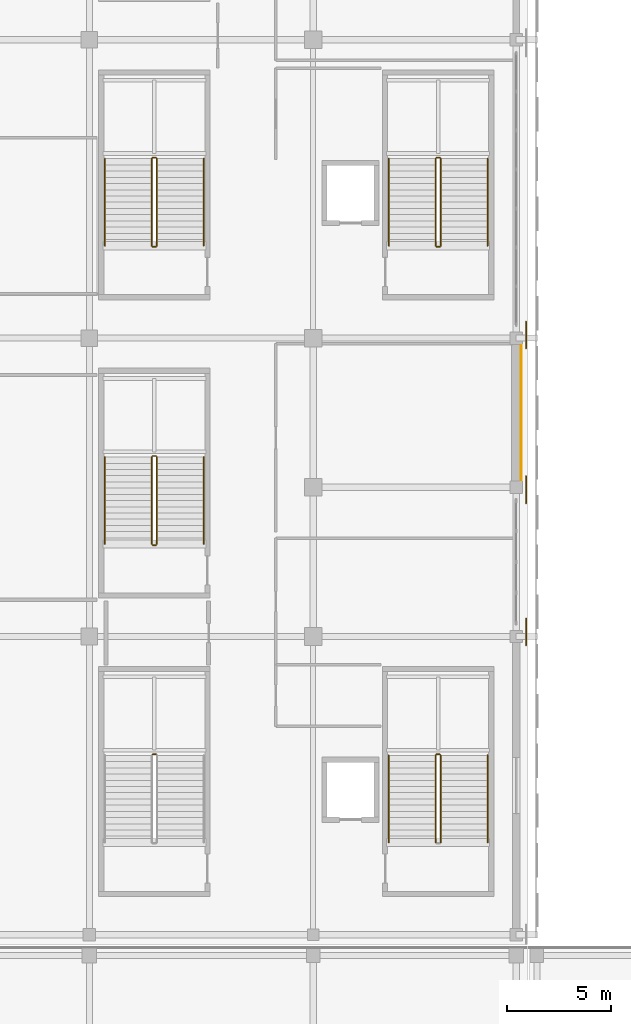
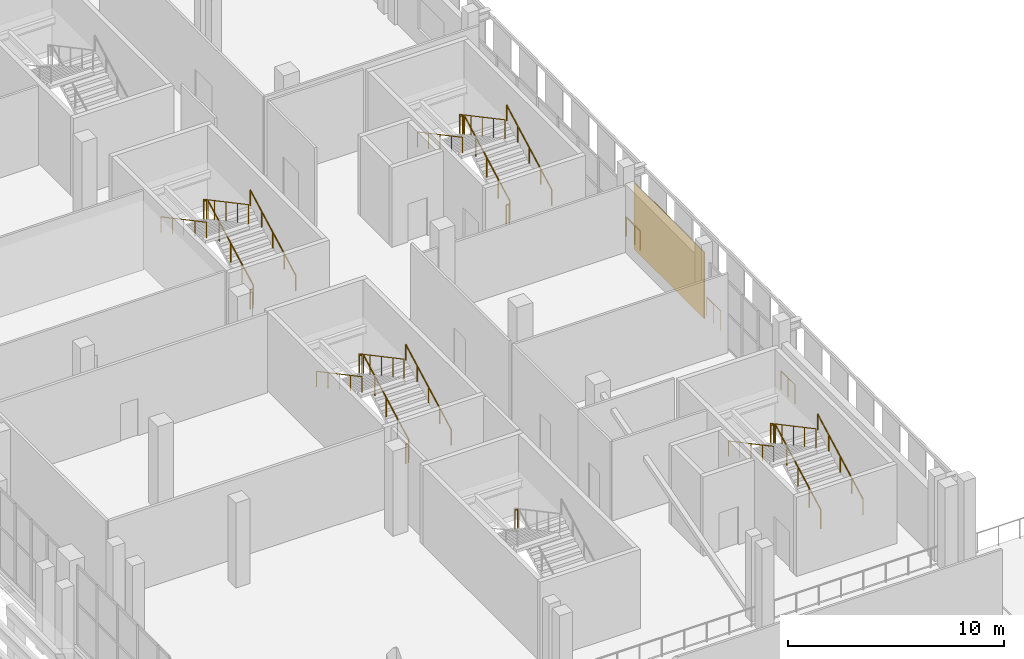
# One storey, part 132 of 142: 28 railings, 1 covering.
"""IFC4 building model written with IfcOpenShell, lengths in metres."""

from ifc_helpers import new_model, si_unit, direction, frame, origin, origin_2d, place, context, subcontext, project, spatial, rectangle, circle, extrude, material, layer, layer_set, type_object, element, save


model = new_model("IFC4")

# Units and contexts
model_context = context("Model", 3, precision=1e-05, world=origin(), true_north=direction((0.0, 1.0)))
body_context = subcontext(model_context, "Body", "Model", "MODEL_VIEW")
ifc_project = project(units=[si_unit("LENGTHUNIT", "METRE"), si_unit("AREAUNIT", "SQUARE_METRE"), si_unit("VOLUMEUNIT", "CUBIC_METRE"), si_unit("PLANEANGLEUNIT", "RADIAN"), si_unit("MASSUNIT", "GRAM", prefix="KILO")], contexts=[model_context])

# Site, building, storey
site_placement = place(None, origin())
site = spatial("IfcSite", under=ifc_project, at=site_placement, CompositionType="ELEMENT")
building_placement = place(site_placement, origin())
building = spatial("IfcBuilding", under=site, at=building_placement, Name="Koshinbarg Plaza Stadium", CompositionType="ELEMENT")
storey_placement = place(building_placement, frame((0.0, 0.0, 10.199951171875)))
storey = spatial("IfcBuildingStorey", under=building, at=storey_placement, Name="L02", CompositionType="ELEMENT", Elevation=10.199951171875)

# Covering
ifc_material_1 = material(Name="Terracotta-ochre pigmented mineral render facade cladding", Category="masonry")
ifc_layer = layer(ifc_material_1, 0.0400390625)
ifc_layer_set = layer_set([ifc_layer], Name="Terracotta-ochre pigmented mineral render facade cladding")
covering_type = type_object("IfcCoveringType", Name="COV-CLADDING-01", PredefinedType="CLADDING", material=ifc_layer_set)
covering_placement = place(storey_placement, frame((218.64501953125, 50.699951171875, 0.0498046875), z_axis=(0.0, 0.0, 1.0), x_axis=(0.0, -1.0, 0.0)))
element("IfcCovering", 1, at=covering_placement, inside=storey, type_object=covering_type, Name="L02 pigmented mineral facade cladding EWL-L02-0130", PredefinedType="CLADDING", context=body_context, shape_type="SweptSolid", body=[
    extrude(rectangle(XDim=6.510009765625, YDim=0.0400390625, at=origin_2d()), origin(), (0.0, 0.0, 1.0), 3.760009765625),
])

# Railings
ifc_material_2 = material(Name="Toughened laminated glass and stainless steel sightline balustrade", Category="steel")
railing_type_1 = type_object("IfcRailingType", Name="RL-BOWL-1100", PredefinedType="BALUSTRADE", material=ifc_material_2)
railing_1_placement = place(storey_placement, frame((218.875, 54.300048828125, 0.0)))
element("IfcRailing", 2, at=railing_1_placement, inside=storey, type_object=railing_type_1, Name="L02 deck edge safety balustrade 0132", PredefinedType="BALUSTRADE", context=body_context, shape_type="SweptSolid", body=[
    extrude(circle(Radius=0.02392578125, at=origin_2d()), frame((0.0, 0.0, 1.076171875), z_axis=(0.0, -1.0, 0.0), x_axis=(1.0, 0.0, 0.0)), (0.0, 0.0, 1.0), 0.49853515625),
    extrude(circle(Radius=0.02099609375, at=origin_2d()), origin(), (0.0, 0.0, 1.0), 1.052001953125),
    extrude(circle(Radius=0.02099609375, at=origin_2d()), frame((0.0, -0.49853515625, 0.0)), (0.0, 0.0, 1.0), 1.052001953125),
])
for number, where, name in (
    (3, (218.875, 47.634033203125, 0.0), "L02 deck edge safety balustrade 0133"),
    (4, (218.875, 40.76806640625, 0.0), "L02 deck edge safety balustrade 0134"),
):
    element("IfcRailing", number, at=place(storey_placement, frame(where)), inside=storey, type_object=railing_type_1, Name=name, PredefinedType="BALUSTRADE", context=body_context, shape_type="SweptSolid", body=[
        extrude(circle(Radius=0.02392578125, at=origin_2d()), frame((0.0, 0.0, 1.076171875), z_axis=(0.0, -1.0, 0.0), x_axis=(1.0, 0.0, 0.0)), (0.0, 0.0, 1.0), 1.295654296875),
        extrude(circle(Radius=0.02099609375, at=origin_2d()), origin(), (0.0, 0.0, 1.0), 1.052001953125),
        extrude(circle(Radius=0.02099609375, at=origin_2d()), frame((0.0, -0.64794921875, 0.0)), (0.0, 0.0, 1.0), 1.052001953125),
        extrude(circle(Radius=0.02099609375, at=origin_2d()), frame((0.0, -1.295654296875, 0.0)), (0.0, 0.0, 1.0), 1.052001953125),
    ])
railing_2_placement = place(storey_placement, frame((218.875, 55.10009765625, 0.0)))
element("IfcRailing", 5, at=railing_2_placement, inside=storey, type_object=railing_type_1, Name="L02 deck edge safety balustrade 0143", PredefinedType="BALUSTRADE", context=body_context, shape_type="SweptSolid", body=[
    extrude(circle(Radius=0.02392578125, at=origin_2d()), frame((0.0, 0.0, 1.076171875), z_axis=(0.0, -1.0, 0.0), x_axis=(1.0, 0.0, 0.0)), (0.0, 0.0, 1.0), 0.800048828125),
    extrude(circle(Radius=0.02099609375, at=origin_2d()), origin(), (0.0, 0.0, 1.0), 1.052001953125),
    extrude(circle(Radius=0.02099609375, at=origin_2d()), frame((0.0, -0.800048828125, 0.0)), (0.0, 0.0, 1.0), 1.052001953125),
])
ifc_material_3 = material(Name="Galvanized painted steel guardrail", Category="steel")
railing_type_2 = type_object("IfcRailingType", Name="RL-GUARD-1100", PredefinedType="GUARDRAIL", material=ifc_material_3)
railing_3_placement = place(storey_placement, frame((214.760009765625, 29.9599609375, 0.16015625)))
element("IfcRailing", 6, at=railing_3_placement, inside=storey, type_object=railing_type_2, Name="L02 C07 stair guard 1", PredefinedType="GUARDRAIL", context=body_context, shape_type="SweptSolid", body=[
    extrude(circle(Radius=0.02392578125, at=origin_2d()), frame((0.0, 0.0, 1.076171875), z_axis=(0.0, 0.882351521365, 0.470590897432), x_axis=(-1.0, 0.0, 0.0)), (0.0, 0.0, 1.0), 4.760009765625),
    extrude(circle(Radius=0.02099609375, at=origin_2d()), origin(), (0.0, 0.0, 1.0), 1.052001953125),
    extrude(circle(Radius=0.02099609375, at=origin_2d()), frame((0.0, 1.050048828125, 0.56005859375)), (0.0, 0.0, 1.0), 1.052001953125),
    extrude(circle(Radius=0.02099609375, at=origin_2d()), frame((0.0, 2.10009765625, 1.1201171875)), (0.0, 0.0, 1.0), 1.052001953125),
    extrude(circle(Radius=0.02099609375, at=origin_2d()), frame((0.0, 3.14990234375, 1.679931640625)), (0.0, 0.0, 1.0), 1.052001953125),
    extrude(circle(Radius=0.02099609375, at=origin_2d()), frame((0.0, 4.199951171875, 2.239990234375)), (0.0, 0.0, 1.0), 1.052001953125),
])
railing_4_placement = place(storey_placement, frame((214.7099609375, 34.2099609375, 2.400146484375)))
element("IfcRailing", 7, at=railing_4_placement, inside=storey, type_object=railing_type_2, Name="L02 C07 stair guard 2", PredefinedType="GUARDRAIL", context=body_context, shape_type="SweptSolid", body=[
    extrude(circle(Radius=0.02392578125, at=origin_2d()), frame((0.0, 0.0, 1.076171875), z_axis=(-1.0, 0.0, 0.0), x_axis=(0.0, -1.0, 0.0)), (0.0, 0.0, 1.0), 0.14990234375),
    extrude(circle(Radius=0.02099609375, at=origin_2d()), origin(), (0.0, 0.0, 1.0), 1.052001953125),
    extrude(circle(Radius=0.02099609375, at=origin_2d()), frame((-0.14990234375, 0.0, 0.0)), (0.0, 0.0, 1.0), 1.052001953125),
])
railing_5_placement = place(storey_placement, frame((214.510009765625, 34.159912109375, 2.56005859375)))
element("IfcRailing", 8, at=railing_5_placement, inside=storey, type_object=railing_type_2, Name="L02 C07 stair guard 3", PredefinedType="GUARDRAIL", context=body_context, shape_type="SweptSolid", body=[
    extrude(circle(Radius=0.02392578125, at=origin_2d()), frame((0.0, 0.0, 1.076171875), z_axis=(0.0, -0.882351521365, 0.470590897432), x_axis=(1.0, 0.0, 0.0)), (0.0, 0.0, 1.0), 4.760009765625),
    extrude(circle(Radius=0.02099609375, at=origin_2d()), origin(), (0.0, 0.0, 1.0), 1.052001953125),
    extrude(circle(Radius=0.02099609375, at=origin_2d()), frame((0.0, -1.050048828125, 0.56005859375)), (0.0, 0.0, 1.0), 1.052001953125),
    extrude(circle(Radius=0.02099609375, at=origin_2d()), frame((0.0, -2.10009765625, 1.1201171875)), (0.0, 0.0, 1.0), 1.052001953125),
    extrude(circle(Radius=0.02099609375, at=origin_2d()), frame((0.0, -3.14990234375, 1.679931640625)), (0.0, 0.0, 1.0), 1.052001953125),
    extrude(circle(Radius=0.02099609375, at=origin_2d()), frame((0.0, -4.199951171875, 2.239990234375)), (0.0, 0.0, 1.0), 1.052001953125),
])
railing_6_placement = place(storey_placement, frame((214.760009765625, 58.760009765625, 0.16015625)))
element("IfcRailing", 9, at=railing_6_placement, inside=storey, type_object=railing_type_2, Name="L02 C08 stair guard 1", PredefinedType="GUARDRAIL", context=body_context, shape_type="SweptSolid", body=[
    extrude(circle(Radius=0.02392578125, at=origin_2d()), frame((0.0, 0.0, 1.076171875), z_axis=(0.0, 0.882351521365, 0.470590897432), x_axis=(-1.0, 0.0, 0.0)), (0.0, 0.0, 1.0), 4.760009765625),
    extrude(circle(Radius=0.02099609375, at=origin_2d()), origin(), (0.0, 0.0, 1.0), 1.052001953125),
    extrude(circle(Radius=0.02099609375, at=origin_2d()), frame((0.0, 1.050048828125, 0.56005859375)), (0.0, 0.0, 1.0), 1.052001953125),
    extrude(circle(Radius=0.02099609375, at=origin_2d()), frame((0.0, 2.10009765625, 1.1201171875)), (0.0, 0.0, 1.0), 1.052001953125),
    extrude(circle(Radius=0.02099609375, at=origin_2d()), frame((0.0, 3.14990234375, 1.679931640625)), (0.0, 0.0, 1.0), 1.052001953125),
    extrude(circle(Radius=0.02099609375, at=origin_2d()), frame((0.0, 4.199951171875, 2.239990234375)), (0.0, 0.0, 1.0), 1.052001953125),
])
railing_7_placement = place(storey_placement, frame((214.7099609375, 63.010009765625, 2.400146484375)))
element("IfcRailing", 10, at=railing_7_placement, inside=storey, type_object=railing_type_2, Name="L02 C08 stair guard 2", PredefinedType="GUARDRAIL", context=body_context, shape_type="SweptSolid", body=[
    extrude(circle(Radius=0.02392578125, at=origin_2d()), frame((0.0, 0.0, 1.076171875), z_axis=(-1.0, 0.0, 0.0), x_axis=(0.0, -1.0, 0.0)), (0.0, 0.0, 1.0), 0.14990234375),
    extrude(circle(Radius=0.02099609375, at=origin_2d()), origin(), (0.0, 0.0, 1.0), 1.052001953125),
    extrude(circle(Radius=0.02099609375, at=origin_2d()), frame((-0.14990234375, 0.0, 0.0)), (0.0, 0.0, 1.0), 1.052001953125),
])
railing_8_placement = place(storey_placement, frame((214.510009765625, 62.9599609375, 2.56005859375)))
element("IfcRailing", 11, at=railing_8_placement, inside=storey, type_object=railing_type_2, Name="L02 C08 stair guard 3", PredefinedType="GUARDRAIL", context=body_context, shape_type="SweptSolid", body=[
    extrude(circle(Radius=0.02392578125, at=origin_2d()), frame((0.0, 0.0, 1.076171875), z_axis=(0.0, -0.882351521365, 0.470590897432), x_axis=(1.0, 0.0, 0.0)), (0.0, 0.0, 1.0), 4.760009765625),
    extrude(circle(Radius=0.02099609375, at=origin_2d()), origin(), (0.0, 0.0, 1.0), 1.052001953125),
    extrude(circle(Radius=0.02099609375, at=origin_2d()), frame((0.0, -1.050048828125, 0.56005859375)), (0.0, 0.0, 1.0), 1.052001953125),
    extrude(circle(Radius=0.02099609375, at=origin_2d()), frame((0.0, -2.10009765625, 1.1201171875)), (0.0, 0.0, 1.0), 1.052001953125),
    extrude(circle(Radius=0.02099609375, at=origin_2d()), frame((0.0, -3.14990234375, 1.679931640625)), (0.0, 0.0, 1.0), 1.052001953125),
    extrude(circle(Radius=0.02099609375, at=origin_2d()), frame((0.0, -4.199951171875, 2.239990234375)), (0.0, 0.0, 1.0), 1.052001953125),
])
for number, where, name in (
    (12, (214.7099609375, 58.7099609375, 0.0), "L02 C08 stair guard 4"),
    (13, (201.010009765625, 34.2099609375, 2.400146484375), "L02 VX07 stair guard 2"),
):
    element("IfcRailing", number, at=place(storey_placement, frame(where)), inside=storey, type_object=railing_type_2, Name=name, PredefinedType="GUARDRAIL", context=body_context, shape_type="SweptSolid", body=[
        extrude(circle(Radius=0.02392578125, at=origin_2d()), frame((0.0, 0.0, 1.076171875), z_axis=(-1.0, 0.0, 0.0), x_axis=(0.0, -1.0, 0.0)), (0.0, 0.0, 1.0), 0.14990234375),
        extrude(circle(Radius=0.02099609375, at=origin_2d()), origin(), (0.0, 0.0, 1.0), 1.052001953125),
        extrude(circle(Radius=0.02099609375, at=origin_2d()), frame((-0.14990234375, 0.0, 0.0)), (0.0, 0.0, 1.0), 1.052001953125),
    ])
railing_9_placement = place(storey_placement, frame((201.06005859375, 44.360107421875, 0.16015625)))
element("IfcRailing", 14, at=railing_9_placement, inside=storey, type_object=railing_type_2, Name="L02 VX08 stair guard 1", PredefinedType="GUARDRAIL", context=body_context, shape_type="SweptSolid", body=[
    extrude(circle(Radius=0.02392578125, at=origin_2d()), frame((0.0, 0.0, 1.076171875), z_axis=(0.0, 0.882351521365, 0.470590897432), x_axis=(-1.0, 0.0, 0.0)), (0.0, 0.0, 1.0), 4.760009765625),
    extrude(circle(Radius=0.02099609375, at=origin_2d()), origin(), (0.0, 0.0, 1.0), 1.052001953125),
    extrude(circle(Radius=0.02099609375, at=origin_2d()), frame((0.0, 1.050048828125, 0.56005859375)), (0.0, 0.0, 1.0), 1.052001953125),
    extrude(circle(Radius=0.02099609375, at=origin_2d()), frame((0.0, 2.10009765625, 1.1201171875)), (0.0, 0.0, 1.0), 1.052001953125),
    extrude(circle(Radius=0.02099609375, at=origin_2d()), frame((0.0, 3.14990234375, 1.679931640625)), (0.0, 0.0, 1.0), 1.052001953125),
    extrude(circle(Radius=0.02099609375, at=origin_2d()), frame((0.0, 4.199951171875, 2.239990234375)), (0.0, 0.0, 1.0), 1.052001953125),
])
railing_10_placement = place(storey_placement, frame((201.010009765625, 48.610107421875, 2.400146484375)))
element("IfcRailing", 15, at=railing_10_placement, inside=storey, type_object=railing_type_2, Name="L02 VX08 stair guard 2", PredefinedType="GUARDRAIL", context=body_context, shape_type="SweptSolid", body=[
    extrude(circle(Radius=0.02392578125, at=origin_2d()), frame((0.0, 0.0, 1.076171875), z_axis=(-1.0, 0.0, 0.0), x_axis=(0.0, -1.0, 0.0)), (0.0, 0.0, 1.0), 0.14990234375),
    extrude(circle(Radius=0.02099609375, at=origin_2d()), origin(), (0.0, 0.0, 1.0), 1.052001953125),
    extrude(circle(Radius=0.02099609375, at=origin_2d()), frame((-0.14990234375, 0.0, 0.0)), (0.0, 0.0, 1.0), 1.052001953125),
])
railing_11_placement = place(storey_placement, frame((200.81005859375, 48.56005859375, 2.56005859375)))
element("IfcRailing", 16, at=railing_11_placement, inside=storey, type_object=railing_type_2, Name="L02 VX08 stair guard 3", PredefinedType="GUARDRAIL", context=body_context, shape_type="SweptSolid", body=[
    extrude(circle(Radius=0.02392578125, at=origin_2d()), frame((0.0, 0.0, 1.076171875), z_axis=(0.0, -0.882351521365, 0.470590897432), x_axis=(1.0, 0.0, 0.0)), (0.0, 0.0, 1.0), 4.760009765625),
    extrude(circle(Radius=0.02099609375, at=origin_2d()), origin(), (0.0, 0.0, 1.0), 1.052001953125),
    extrude(circle(Radius=0.02099609375, at=origin_2d()), frame((0.0, -1.050048828125, 0.56005859375)), (0.0, 0.0, 1.0), 1.052001953125),
    extrude(circle(Radius=0.02099609375, at=origin_2d()), frame((0.0, -2.10009765625, 1.1201171875)), (0.0, 0.0, 1.0), 1.052001953125),
    extrude(circle(Radius=0.02099609375, at=origin_2d()), frame((0.0, -3.14990234375, 1.679931640625)), (0.0, 0.0, 1.0), 1.052001953125),
    extrude(circle(Radius=0.02099609375, at=origin_2d()), frame((0.0, -4.199951171875, 2.239990234375)), (0.0, 0.0, 1.0), 1.052001953125),
])
railing_12_placement = place(storey_placement, frame((201.010009765625, 44.31005859375, 0.0)))
element("IfcRailing", 17, at=railing_12_placement, inside=storey, type_object=railing_type_2, Name="L02 VX08 stair guard 4", PredefinedType="GUARDRAIL", context=body_context, shape_type="SweptSolid", body=[
    extrude(circle(Radius=0.02392578125, at=origin_2d()), frame((0.0, 0.0, 1.076171875), z_axis=(-1.0, 0.0, 0.0), x_axis=(0.0, -1.0, 0.0)), (0.0, 0.0, 1.0), 0.14990234375),
    extrude(circle(Radius=0.02099609375, at=origin_2d()), origin(), (0.0, 0.0, 1.0), 1.052001953125),
    extrude(circle(Radius=0.02099609375, at=origin_2d()), frame((-0.14990234375, 0.0, 0.0)), (0.0, 0.0, 1.0), 1.052001953125),
])
railing_13_placement = place(storey_placement, frame((201.06005859375, 58.760009765625, 0.16015625)))
element("IfcRailing", 18, at=railing_13_placement, inside=storey, type_object=railing_type_2, Name="L02 VX09 stair guard 1", PredefinedType="GUARDRAIL", context=body_context, shape_type="SweptSolid", body=[
    extrude(circle(Radius=0.02392578125, at=origin_2d()), frame((0.0, 0.0, 1.076171875), z_axis=(0.0, 0.882351521365, 0.470590897432), x_axis=(-1.0, 0.0, 0.0)), (0.0, 0.0, 1.0), 4.760009765625),
    extrude(circle(Radius=0.02099609375, at=origin_2d()), origin(), (0.0, 0.0, 1.0), 1.052001953125),
    extrude(circle(Radius=0.02099609375, at=origin_2d()), frame((0.0, 1.050048828125, 0.56005859375)), (0.0, 0.0, 1.0), 1.052001953125),
    extrude(circle(Radius=0.02099609375, at=origin_2d()), frame((0.0, 2.10009765625, 1.1201171875)), (0.0, 0.0, 1.0), 1.052001953125),
    extrude(circle(Radius=0.02099609375, at=origin_2d()), frame((0.0, 3.14990234375, 1.679931640625)), (0.0, 0.0, 1.0), 1.052001953125),
    extrude(circle(Radius=0.02099609375, at=origin_2d()), frame((0.0, 4.199951171875, 2.239990234375)), (0.0, 0.0, 1.0), 1.052001953125),
])
railing_14_placement = place(storey_placement, frame((201.010009765625, 63.010009765625, 2.400146484375)))
element("IfcRailing", 19, at=railing_14_placement, inside=storey, type_object=railing_type_2, Name="L02 VX09 stair guard 2", PredefinedType="GUARDRAIL", context=body_context, shape_type="SweptSolid", body=[
    extrude(circle(Radius=0.02392578125, at=origin_2d()), frame((0.0, 0.0, 1.076171875), z_axis=(-1.0, 0.0, 0.0), x_axis=(0.0, -1.0, 0.0)), (0.0, 0.0, 1.0), 0.14990234375),
    extrude(circle(Radius=0.02099609375, at=origin_2d()), origin(), (0.0, 0.0, 1.0), 1.052001953125),
    extrude(circle(Radius=0.02099609375, at=origin_2d()), frame((-0.14990234375, 0.0, 0.0)), (0.0, 0.0, 1.0), 1.052001953125),
])
railing_15_placement = place(storey_placement, frame((200.81005859375, 62.9599609375, 2.56005859375)))
element("IfcRailing", 20, at=railing_15_placement, inside=storey, type_object=railing_type_2, Name="L02 VX09 stair guard 3", PredefinedType="GUARDRAIL", context=body_context, shape_type="SweptSolid", body=[
    extrude(circle(Radius=0.02392578125, at=origin_2d()), frame((0.0, 0.0, 1.076171875), z_axis=(0.0, -0.882351521365, 0.470590897432), x_axis=(1.0, 0.0, 0.0)), (0.0, 0.0, 1.0), 4.760009765625),
    extrude(circle(Radius=0.02099609375, at=origin_2d()), origin(), (0.0, 0.0, 1.0), 1.052001953125),
    extrude(circle(Radius=0.02099609375, at=origin_2d()), frame((0.0, -1.050048828125, 0.56005859375)), (0.0, 0.0, 1.0), 1.052001953125),
    extrude(circle(Radius=0.02099609375, at=origin_2d()), frame((0.0, -2.10009765625, 1.1201171875)), (0.0, 0.0, 1.0), 1.052001953125),
    extrude(circle(Radius=0.02099609375, at=origin_2d()), frame((0.0, -3.14990234375, 1.679931640625)), (0.0, 0.0, 1.0), 1.052001953125),
    extrude(circle(Radius=0.02099609375, at=origin_2d()), frame((0.0, -4.199951171875, 2.239990234375)), (0.0, 0.0, 1.0), 1.052001953125),
])
railing_16_placement = place(storey_placement, frame((201.010009765625, 58.7099609375, 0.0)))
element("IfcRailing", 21, at=railing_16_placement, inside=storey, type_object=railing_type_2, Name="L02 VX09 stair guard 4", PredefinedType="GUARDRAIL", context=body_context, shape_type="SweptSolid", body=[
    extrude(circle(Radius=0.02392578125, at=origin_2d()), frame((0.0, 0.0, 1.076171875), z_axis=(-1.0, 0.0, 0.0), x_axis=(0.0, -1.0, 0.0)), (0.0, 0.0, 1.0), 0.14990234375),
    extrude(circle(Radius=0.02099609375, at=origin_2d()), origin(), (0.0, 0.0, 1.0), 1.052001953125),
    extrude(circle(Radius=0.02099609375, at=origin_2d()), frame((-0.14990234375, 0.0, 0.0)), (0.0, 0.0, 1.0), 1.052001953125),
])
ifc_material_4 = material(Name="Brushed stainless steel handrail", Category="steel")
railing_type_3 = type_object("IfcRailingType", Name="RL-HAND-900", PredefinedType="HANDRAIL", material=ifc_material_4)
railing_17_placement = place(storey_placement, frame((217.02001953125, 29.9599609375, 0.16015625)))
element("IfcRailing", 22, at=railing_17_placement, inside=storey, type_object=railing_type_3, Name="L02 C07 stair handrail 1", PredefinedType="HANDRAIL", context=body_context, shape_type="SweptSolid", body=[
    extrude(circle(Radius=0.02392578125, at=origin_2d()), frame((0.0, 0.0, 0.8759765625), z_axis=(0.0, 0.882351521365, 0.470590897432), x_axis=(-1.0, 0.0, 0.0)), (0.0, 0.0, 1.0), 4.760009765625),
    extrude(circle(Radius=0.02099609375, at=origin_2d()), origin(), (0.0, 0.0, 1.0), 0.851806640625),
    extrude(circle(Radius=0.02099609375, at=origin_2d()), frame((0.0, 1.050048828125, 0.56005859375)), (0.0, 0.0, 1.0), 0.851806640625),
    extrude(circle(Radius=0.02099609375, at=origin_2d()), frame((0.0, 2.10009765625, 1.1201171875)), (0.0, 0.0, 1.0), 0.851806640625),
    extrude(circle(Radius=0.02099609375, at=origin_2d()), frame((0.0, 3.14990234375, 1.679931640625)), (0.0, 0.0, 1.0), 0.851806640625),
    extrude(circle(Radius=0.02099609375, at=origin_2d()), frame((0.0, 4.199951171875, 2.239990234375)), (0.0, 0.0, 1.0), 0.851806640625),
])
railing_18_placement = place(storey_placement, frame((212.25, 34.159912109375, 2.56005859375)))
element("IfcRailing", 23, at=railing_18_placement, inside=storey, type_object=railing_type_3, Name="L02 C07 stair handrail 2", PredefinedType="HANDRAIL", context=body_context, shape_type="SweptSolid", body=[
    extrude(circle(Radius=0.02392578125, at=origin_2d()), frame((0.0, 0.0, 0.8759765625), z_axis=(0.0, -0.882351521365, 0.470590897432), x_axis=(1.0, 0.0, 0.0)), (0.0, 0.0, 1.0), 4.760009765625),
    extrude(circle(Radius=0.02099609375, at=origin_2d()), origin(), (0.0, 0.0, 1.0), 0.851806640625),
    extrude(circle(Radius=0.02099609375, at=origin_2d()), frame((0.0, -1.050048828125, 0.56005859375)), (0.0, 0.0, 1.0), 0.851806640625),
    extrude(circle(Radius=0.02099609375, at=origin_2d()), frame((0.0, -2.10009765625, 1.1201171875)), (0.0, 0.0, 1.0), 0.851806640625),
    extrude(circle(Radius=0.02099609375, at=origin_2d()), frame((0.0, -3.14990234375, 1.679931640625)), (0.0, 0.0, 1.0), 0.851806640625),
    extrude(circle(Radius=0.02099609375, at=origin_2d()), frame((0.0, -4.199951171875, 2.239990234375)), (0.0, 0.0, 1.0), 0.851806640625),
])
railing_19_placement = place(storey_placement, frame((217.02001953125, 58.760009765625, 0.16015625)))
element("IfcRailing", 24, at=railing_19_placement, inside=storey, type_object=railing_type_3, Name="L02 C08 stair handrail 1", PredefinedType="HANDRAIL", context=body_context, shape_type="SweptSolid", body=[
    extrude(circle(Radius=0.02392578125, at=origin_2d()), frame((0.0, 0.0, 0.8759765625), z_axis=(0.0, 0.882351521365, 0.470590897432), x_axis=(-1.0, 0.0, 0.0)), (0.0, 0.0, 1.0), 4.760009765625),
    extrude(circle(Radius=0.02099609375, at=origin_2d()), origin(), (0.0, 0.0, 1.0), 0.851806640625),
    extrude(circle(Radius=0.02099609375, at=origin_2d()), frame((0.0, 1.050048828125, 0.56005859375)), (0.0, 0.0, 1.0), 0.851806640625),
    extrude(circle(Radius=0.02099609375, at=origin_2d()), frame((0.0, 2.10009765625, 1.1201171875)), (0.0, 0.0, 1.0), 0.851806640625),
    extrude(circle(Radius=0.02099609375, at=origin_2d()), frame((0.0, 3.14990234375, 1.679931640625)), (0.0, 0.0, 1.0), 0.851806640625),
    extrude(circle(Radius=0.02099609375, at=origin_2d()), frame((0.0, 4.199951171875, 2.239990234375)), (0.0, 0.0, 1.0), 0.851806640625),
])
railing_20_placement = place(storey_placement, frame((212.25, 62.9599609375, 2.56005859375)))
element("IfcRailing", 25, at=railing_20_placement, inside=storey, type_object=railing_type_3, Name="L02 C08 stair handrail 2", PredefinedType="HANDRAIL", context=body_context, shape_type="SweptSolid", body=[
    extrude(circle(Radius=0.02392578125, at=origin_2d()), frame((0.0, 0.0, 0.8759765625), z_axis=(0.0, -0.882351521365, 0.470590897432), x_axis=(1.0, 0.0, 0.0)), (0.0, 0.0, 1.0), 4.760009765625),
    extrude(circle(Radius=0.02099609375, at=origin_2d()), origin(), (0.0, 0.0, 1.0), 0.851806640625),
    extrude(circle(Radius=0.02099609375, at=origin_2d()), frame((0.0, -1.050048828125, 0.56005859375)), (0.0, 0.0, 1.0), 0.851806640625),
    extrude(circle(Radius=0.02099609375, at=origin_2d()), frame((0.0, -2.10009765625, 1.1201171875)), (0.0, 0.0, 1.0), 0.851806640625),
    extrude(circle(Radius=0.02099609375, at=origin_2d()), frame((0.0, -3.14990234375, 1.679931640625)), (0.0, 0.0, 1.0), 0.851806640625),
    extrude(circle(Radius=0.02099609375, at=origin_2d()), frame((0.0, -4.199951171875, 2.239990234375)), (0.0, 0.0, 1.0), 0.851806640625),
])
railing_21_placement = place(storey_placement, frame((203.320068359375, 44.360107421875, 0.16015625)))
element("IfcRailing", 26, at=railing_21_placement, inside=storey, type_object=railing_type_3, Name="L02 VX08 stair handrail 1", PredefinedType="HANDRAIL", context=body_context, shape_type="SweptSolid", body=[
    extrude(circle(Radius=0.02392578125, at=origin_2d()), frame((0.0, 0.0, 0.8759765625), z_axis=(0.0, 0.882351521365, 0.470590897432), x_axis=(-1.0, 0.0, 0.0)), (0.0, 0.0, 1.0), 4.760009765625),
    extrude(circle(Radius=0.02099609375, at=origin_2d()), origin(), (0.0, 0.0, 1.0), 0.851806640625),
    extrude(circle(Radius=0.02099609375, at=origin_2d()), frame((0.0, 1.050048828125, 0.56005859375)), (0.0, 0.0, 1.0), 0.851806640625),
    extrude(circle(Radius=0.02099609375, at=origin_2d()), frame((0.0, 2.10009765625, 1.1201171875)), (0.0, 0.0, 1.0), 0.851806640625),
    extrude(circle(Radius=0.02099609375, at=origin_2d()), frame((0.0, 3.14990234375, 1.679931640625)), (0.0, 0.0, 1.0), 0.851806640625),
    extrude(circle(Radius=0.02099609375, at=origin_2d()), frame((0.0, 4.199951171875, 2.239990234375)), (0.0, 0.0, 1.0), 0.851806640625),
])
railing_22_placement = place(storey_placement, frame((198.550048828125, 48.56005859375, 2.56005859375)))
element("IfcRailing", 27, at=railing_22_placement, inside=storey, type_object=railing_type_3, Name="L02 VX08 stair handrail 2", PredefinedType="HANDRAIL", context=body_context, shape_type="SweptSolid", body=[
    extrude(circle(Radius=0.02392578125, at=origin_2d()), frame((0.0, 0.0, 0.8759765625), z_axis=(0.0, -0.882351521365, 0.470590897432), x_axis=(1.0, 0.0, 0.0)), (0.0, 0.0, 1.0), 4.760009765625),
    extrude(circle(Radius=0.02099609375, at=origin_2d()), origin(), (0.0, 0.0, 1.0), 0.851806640625),
    extrude(circle(Radius=0.02099609375, at=origin_2d()), frame((0.0, -1.050048828125, 0.56005859375)), (0.0, 0.0, 1.0), 0.851806640625),
    extrude(circle(Radius=0.02099609375, at=origin_2d()), frame((0.0, -2.10009765625, 1.1201171875)), (0.0, 0.0, 1.0), 0.851806640625),
    extrude(circle(Radius=0.02099609375, at=origin_2d()), frame((0.0, -3.14990234375, 1.679931640625)), (0.0, 0.0, 1.0), 0.851806640625),
    extrude(circle(Radius=0.02099609375, at=origin_2d()), frame((0.0, -4.199951171875, 2.239990234375)), (0.0, 0.0, 1.0), 0.851806640625),
])
railing_23_placement = place(storey_placement, frame((203.320068359375, 58.760009765625, 0.16015625)))
element("IfcRailing", 28, at=railing_23_placement, inside=storey, type_object=railing_type_3, Name="L02 VX09 stair handrail 1", PredefinedType="HANDRAIL", context=body_context, shape_type="SweptSolid", body=[
    extrude(circle(Radius=0.02392578125, at=origin_2d()), frame((0.0, 0.0, 0.8759765625), z_axis=(0.0, 0.882351521365, 0.470590897432), x_axis=(-1.0, 0.0, 0.0)), (0.0, 0.0, 1.0), 4.760009765625),
    extrude(circle(Radius=0.02099609375, at=origin_2d()), origin(), (0.0, 0.0, 1.0), 0.851806640625),
    extrude(circle(Radius=0.02099609375, at=origin_2d()), frame((0.0, 1.050048828125, 0.56005859375)), (0.0, 0.0, 1.0), 0.851806640625),
    extrude(circle(Radius=0.02099609375, at=origin_2d()), frame((0.0, 2.10009765625, 1.1201171875)), (0.0, 0.0, 1.0), 0.851806640625),
    extrude(circle(Radius=0.02099609375, at=origin_2d()), frame((0.0, 3.14990234375, 1.679931640625)), (0.0, 0.0, 1.0), 0.851806640625),
    extrude(circle(Radius=0.02099609375, at=origin_2d()), frame((0.0, 4.199951171875, 2.239990234375)), (0.0, 0.0, 1.0), 0.851806640625),
])
railing_24_placement = place(storey_placement, frame((198.550048828125, 62.9599609375, 2.56005859375)))
element("IfcRailing", 29, at=railing_24_placement, inside=storey, type_object=railing_type_3, Name="L02 VX09 stair handrail 2", PredefinedType="HANDRAIL", context=body_context, shape_type="SweptSolid", body=[
    extrude(circle(Radius=0.02392578125, at=origin_2d()), frame((0.0, 0.0, 0.8759765625), z_axis=(0.0, -0.882351521365, 0.470590897432), x_axis=(1.0, 0.0, 0.0)), (0.0, 0.0, 1.0), 4.760009765625),
    extrude(circle(Radius=0.02099609375, at=origin_2d()), origin(), (0.0, 0.0, 1.0), 0.851806640625),
    extrude(circle(Radius=0.02099609375, at=origin_2d()), frame((0.0, -1.050048828125, 0.56005859375)), (0.0, 0.0, 1.0), 0.851806640625),
    extrude(circle(Radius=0.02099609375, at=origin_2d()), frame((0.0, -2.10009765625, 1.1201171875)), (0.0, 0.0, 1.0), 0.851806640625),
    extrude(circle(Radius=0.02099609375, at=origin_2d()), frame((0.0, -3.14990234375, 1.679931640625)), (0.0, 0.0, 1.0), 0.851806640625),
    extrude(circle(Radius=0.02099609375, at=origin_2d()), frame((0.0, -4.199951171875, 2.239990234375)), (0.0, 0.0, 1.0), 0.851806640625),
])

save(model, "model.ifc")
